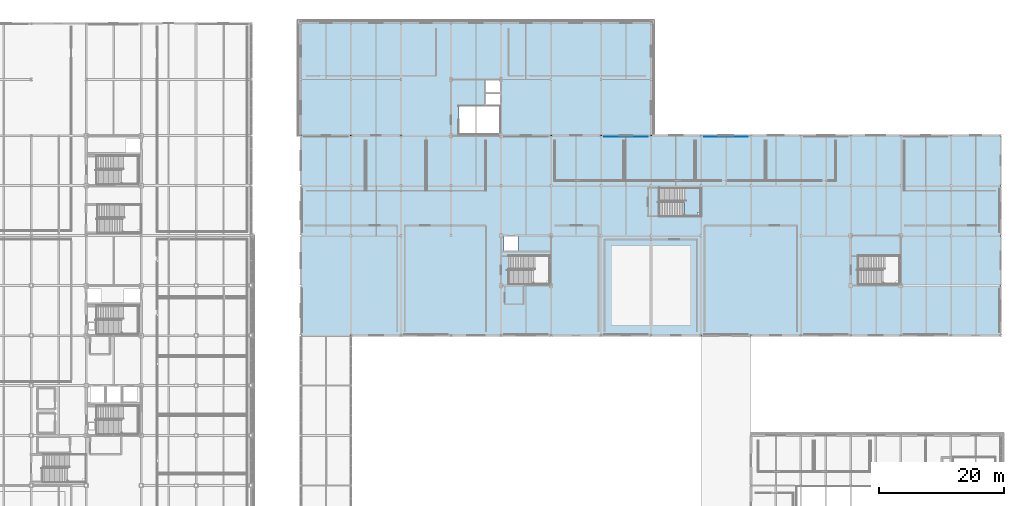
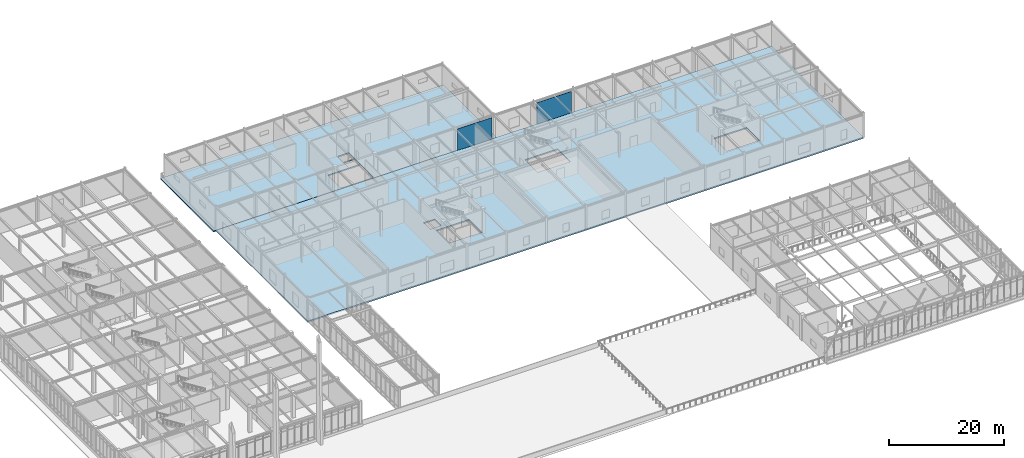
# One storey, part 67 of 108: 3 slabs, 2 plates, 1 element without a shape of its own.
"""IFC4 building model written with IfcOpenShell, lengths in metres."""

import ifcopenshell
import ifcopenshell.guid

model = None  # the IFC model being written
_history = None  # IfcOwnerHistory: only IFC2X3 demands one
_inside = {}  # id of a spatial element -> (the spatial element, [elements in it])
_under = {}  # id of a project, library or spatial element -> (it, [spatial elements below it])
_declared = {}  # id of a project -> (the project, [libraries it declares])
_typed = {}  # id of a type object -> (the type object, [elements of that type])
_made_of = {}  # id of a material, layer set ... -> (it, [elements and type objects made of it])


def new_model(schema):
    """Start an empty IFC model of exactly this schema.

    Asked for "IFC4X3", IfcOpenShell would pick the latest addendum, in which some entities
    have other attributes; the version numbers below select the first issue.
    IFC2X3 requires an IfcOwnerHistory on every rooted entity: one is made here for all.
    """
    global model, _history
    if schema == "IFC4X3":
        model = ifcopenshell.file(schema_version=(4, 3, 0, 0))
    else:
        model = ifcopenshell.file(schema=schema)
    _inside.clear()
    _under.clear()
    _declared.clear()
    _typed.clear()
    _made_of.clear()
    _history = None
    if model.schema == "IFC2X3":
        org = make("IfcOrganization", Name="unknown")
        user = make(
            "IfcPersonAndOrganization",
            ThePerson=make("IfcPerson", FamilyName="unknown"),
            TheOrganization=org,
        )
        app = make(
            "IfcApplication",
            ApplicationDeveloper=org,
            Version="unknown",
            ApplicationFullName="unknown",
            ApplicationIdentifier="unknown",
        )
        _history = make(
            "IfcOwnerHistory",
            OwningUser=user,
            OwningApplication=app,
            ChangeAction="ADDED",
            CreationDate=0,
        )
    return model


def make(cls, **values):
    """One entity of the class cls with the attributes given. An attribute that is None is left unset."""
    return model.create_entity(
        cls, **{name: value for name, value in values.items() if value is not None}
    )


def rooted(cls, **values):
    """An entity with a GlobalId (a new one), such as an element, a storey or a relation."""
    return make(cls, GlobalId=ifcopenshell.guid.new(), OwnerHistory=_history, **values)


def si_unit(unit_type, name, prefix=None):
    """IfcSIUnit, for example si_unit("LENGTHUNIT", "METRE", prefix="MILLI")."""
    return make("IfcSIUnit", UnitType=unit_type, Prefix=prefix, Name=name)


def assignment(units):
    """IfcUnitAssignment: the units of a project."""
    return None if units is None else make("IfcUnitAssignment", Units=units)


def point(xyz):
    """IfcCartesianPoint."""
    return None if xyz is None else make("IfcCartesianPoint", Coordinates=xyz)


def direction(xyz):
    """IfcDirection."""
    return None if xyz is None else make("IfcDirection", DirectionRatios=xyz)


def frame(location, z_axis=None, x_axis=None):
    """IfcAxis2Placement3D, a coordinate frame: its origin and axes. An axis left out is left unset."""
    return make(
        "IfcAxis2Placement3D",
        Location=point(location),
        Axis=direction(z_axis),
        RefDirection=direction(x_axis),
    )


def frame_2d(location, x_axis=None):
    """IfcAxis2Placement2D, a coordinate frame in the plane: its origin and x axis."""
    return make(
        "IfcAxis2Placement2D", Location=point(location), RefDirection=direction(x_axis)
    )


def origin():
    """The frame at (0, 0, 0) with its axes left unset."""
    return frame((0.0, 0.0, 0.0))


def origin_2d():
    """The frame at (0, 0) in the plane with its x axis left unset."""
    return frame_2d((0.0, 0.0))


def place(relative_to, where):
    """IfcLocalPlacement: puts the frame where relative to a parent placement (None: the world)."""
    return make(
        "IfcLocalPlacement", PlacementRelTo=relative_to, RelativePlacement=where
    )


def context(
    kind, dimensions, precision=None, world=None, true_north=None, identifier=None
):
    """IfcGeometricRepresentationContext, for example the 3D "Model" context."""
    return make(
        "IfcGeometricRepresentationContext",
        ContextIdentifier=identifier,
        ContextType=kind,
        CoordinateSpaceDimension=dimensions,
        Precision=precision,
        WorldCoordinateSystem=world,
        TrueNorth=true_north,
    )


def subcontext(parent, identifier, kind, view, scale=None):
    """IfcGeometricRepresentationSubContext, for example "Body" below "Model"."""
    return make(
        "IfcGeometricRepresentationSubContext",
        ContextIdentifier=identifier,
        ContextType=kind,
        ParentContext=parent,
        TargetScale=scale,
        TargetView=view,
    )


def project(units=None, contexts=None):
    """IfcProject with its units and contexts."""
    return rooted(
        "IfcProject",
        Name="project",
        RepresentationContexts=contexts,
        UnitsInContext=assignment(units),
    )


def spatial(cls, under=None, at=None, **own):
    """A site, building, storey or space (cls), placed at a placement, below another one or the project."""
    s = rooted(cls, ObjectPlacement=at, **own)
    if under is not None:
        _under.setdefault(under.id(), (under, []))[1].append(s)
    return s


def polyline(points):
    """IfcPolyline through the points."""
    return make("IfcPolyline", Points=[point(p) for p in points])


def profile(cls, at=None, kind="AREA", **sizes):
    """A parametric profile (cls). Its sizes go by their IFC names, for example OverallWidth=200.0."""
    return make(cls, ProfileType=kind, Position=at, **sizes)


def rectangle(**sizes):
    """IfcRectangleProfileDef."""
    return profile("IfcRectangleProfileDef", **sizes)


def outline(outer, holes=None, kind="AREA"):
    """IfcArbitraryClosedProfileDef: a profile drawn as a closed curve; with holes, ...WithVoids."""
    if holes is None:
        return make("IfcArbitraryClosedProfileDef", ProfileType=kind, OuterCurve=outer)
    return make(
        "IfcArbitraryProfileDefWithVoids",
        ProfileType=kind,
        OuterCurve=outer,
        InnerCurves=holes,
    )


def extrude(swept, where, along, depth):
    """IfcExtrudedAreaSolid: the profile swept, set in the frame where, extruded along a direction by depth."""
    return make(
        "IfcExtrudedAreaSolid",
        SweptArea=swept,
        Position=where,
        ExtrudedDirection=direction(along),
        Depth=depth,
    )


def shape(context_of_items, identifier, shape_type, items):
    """IfcShapeRepresentation: the items that make up one representation, for example the "Body"."""
    return make(
        "IfcShapeRepresentation",
        ContextOfItems=context_of_items,
        RepresentationIdentifier=identifier,
        RepresentationType=shape_type,
        Items=items,
    )


def material(Name=None, Category=None):
    """IfcMaterial."""
    return make("IfcMaterial", Name=Name, Category=Category)


def layer(
    of_material, thickness, ventilated=None, Name=None, Category=None, Priority=None
):
    """IfcMaterialLayer: one layer of a wall or slab, of a material (None: an air gap)."""
    return make(
        "IfcMaterialLayer",
        Material=of_material,
        LayerThickness=thickness,
        IsVentilated=ventilated,
        Name=Name,
        Category=Category,
        Priority=Priority,
    )


def layer_set(layers, Name=None):
    """IfcMaterialLayerSet."""
    return make("IfcMaterialLayerSet", MaterialLayers=layers, LayerSetName=Name)


def made_of(thing, what):
    """Note that an element or type object is made of a material, layer set ...; save() writes the relation."""
    if what is not None:
        _made_of.setdefault(what.id(), (what, []))[1].append(thing)
    return thing


def type_object(cls, material=None, **own):
    """A type object (cls), such as IfcWallType, which elements share."""
    return made_of(rooted(cls, **own), material)


def element(
    cls,
    number,
    at=None,
    inside=None,
    cuts=None,
    type_object=None,
    material=None,
    context=None,
    identifier="Body",
    shape_type=None,
    held_by="IfcProductDefinitionShape",
    body=None,
    shapes=None,
    **own,
):
    """One element of the class cls, such as IfcWall. Its Tag is "e" and its number.

    at: its placement. inside: the storey or other place that contains it. cuts: it is an
    opening in that element (IfcRelVoidsElement). A single representation is given by context,
    identifier, shape_type and body (its items); several are given by shapes. held_by: the class
    of the entity that holds the representations. save() writes the other relations.
    """
    e = rooted(cls, Tag="e%d" % number, ObjectPlacement=at, **own)
    if body is not None:
        shapes = [shape(context, identifier, shape_type, body)]
    if shapes is not None:
        e.Representation = make(held_by, Representations=shapes)
    if inside is not None:
        _inside.setdefault(inside.id(), (inside, []))[1].append(e)
    if cuts is not None:
        rooted(
            "IfcRelVoidsElement", RelatingBuildingElement=cuts, RelatedOpeningElement=e
        )
    if type_object is not None:
        _typed.setdefault(type_object.id(), (type_object, []))[1].append(e)
    return made_of(e, material)


def aggregate(whole, parts):
    """IfcRelAggregates: a whole, such as a stair, and the parts it consists of."""
    return rooted("IfcRelAggregates", RelatingObject=whole, RelatedObjects=parts)


def save(model, path):
    """Write the relations noted so far, then the file.

    IfcRelAggregates (storeys below a building ...), IfcRelContainedInSpatialStructure (elements
    in a storey), IfcRelDefinesByType, IfcRelAssociatesMaterial and IfcRelDeclares: one each for
    every whole, place, type object, material and project.
    """
    for whole, parts in _under.values():
        aggregate(whole, parts)
    for where, things in _inside.values():
        rooted(
            "IfcRelContainedInSpatialStructure",
            RelatedElements=things,
            RelatingStructure=where,
        )
    for kind, things in _typed.values():
        rooted("IfcRelDefinesByType", RelatedObjects=things, RelatingType=kind)
    for what, things in _made_of.values():
        rooted("IfcRelAssociatesMaterial", RelatedObjects=things, RelatingMaterial=what)
    for by, libraries in _declared.values():
        rooted("IfcRelDeclares", RelatingContext=by, RelatedDefinitions=libraries)
    model.write(path)


model = new_model("IFC4")

# Units and contexts
model_context = context("Model", 3, precision=1e-05, world=origin(), true_north=direction((0.0, 1.0)))
body_context = subcontext(model_context, "Body", "Model", "MODEL_VIEW")
ifc_project = project(units=[si_unit("LENGTHUNIT", "METRE"), si_unit("AREAUNIT", "SQUARE_METRE"), si_unit("VOLUMEUNIT", "CUBIC_METRE"), si_unit("PLANEANGLEUNIT", "RADIAN"), si_unit("MASSUNIT", "GRAM", prefix="KILO")], contexts=[model_context])

# Site, building, storey
site_placement = place(None, origin())
site = spatial("IfcSite", under=ifc_project, at=site_placement, CompositionType="ELEMENT")
building_placement = place(site_placement, origin())
building = spatial("IfcBuilding", under=site, at=building_placement, Name="Zhaolan Boulevard Law Courts", CompositionType="ELEMENT")
storey_placement = place(building_placement, frame((0.0, 0.0, 10.800048828125)))
storey = spatial("IfcBuildingStorey", under=building, at=storey_placement, Name="L02", CompositionType="ELEMENT", Elevation=10.800048828125)

# Slabs
ifc_material_1 = material(Name="Concrete C40", Category="concrete")
ifc_layer_1 = layer(ifc_material_1, 0.260009765625)
ifc_layer_set_1 = layer_set([ifc_layer_1])
slab_type_1 = type_object("IfcSlabType", Name="FLOOR SLAB 260", PredefinedType="FLOOR", material=ifc_layer_set_1)
slab_1_placement = place(storey_placement, frame((0.0, 0.0, -0.260009765625)))
element("IfcSlab", 1, at=slab_1_placement, inside=storey, type_object=slab_type_1, Name="Slab SLB-L02-V6", PredefinedType="FLOOR", context=body_context, shape_type="SweptSolid", body=[
    extrude(outline(polyline([(51.47998046875, 94.0), (108.52001953125, 94.0), (108.52001953125, 112.52001953125), (51.47998046875, 112.52001953125), (51.47998046875, 94.0)]), holes=[polyline([(81.574951171875, 98.875), (83.824951171875, 98.875), (83.824951171875, 100.824951171875), (81.574951171875, 100.824951171875), (81.574951171875, 98.875)]), polyline([(81.574951171875, 100.875), (83.824951171875, 100.875), (83.824951171875, 102.824951171875), (81.574951171875, 102.824951171875), (81.574951171875, 100.875)]), polyline([(77.25, 94.25), (83.85009765625, 94.25), (83.85009765625, 98.75), (77.25, 98.75), (77.25, 94.25)])]), origin(), (0.0, 0.0, 1.0), 0.260009765625),
])
ifc_material_2 = material(Name="Concrete C40", Category="concrete")
ifc_layer_2 = layer(ifc_material_2, 0.280029296875)
ifc_layer_set_2 = layer_set([ifc_layer_2])
slab_type_2 = type_object("IfcSlabType", Name="FLOOR SLAB 280", PredefinedType="FLOOR", material=ifc_layer_set_2)
slab_2_placement = place(storey_placement, frame((0.0, 0.0, -0.280029296875)))
element("IfcSlab", 2, at=slab_2_placement, inside=storey, type_object=slab_type_2, Name="Slab SLB-L02-V2", PredefinedType="FLOOR", context=body_context, shape_type="SweptSolid", body=[
    extrude(outline(polyline([(52.0, 62.0), (164.0, 62.0), (164.0, 94.0), (52.0, 94.0), (52.0, 62.0)]), holes=[polyline([(84.5, 75.574951171875), (86.699951171875, 75.574951171875), (86.699951171875, 77.824951171875), (84.5, 77.824951171875), (84.5, 75.574951171875)]), polyline([(85.25, 70.25), (91.85009765625, 70.25), (91.85009765625, 74.75), (85.25, 74.75), (85.25, 70.25)]), polyline([(141.25, 70.25), (147.85009765625, 70.25), (147.85009765625, 74.75), (141.25, 74.75), (141.25, 70.25)]), polyline([(109.39990234375, 81.14990234375), (116.0, 81.14990234375), (116.0, 85.60009765625), (109.39990234375, 85.60009765625), (109.39990234375, 81.14990234375)])]), origin(), (0.0, 0.0, 1.0), 0.280029296875),
])

# Stair, slab
ifc_material_3 = material(Name="Concrete C40", Category="concrete")
stair_type = type_object("IfcStairType", Name="HALF TURN STAIR 54 A", PredefinedType="HALF_TURN_STAIR", material=ifc_material_3)
stair_placement = place(storey_placement, origin())
stair = element("IfcStair", 3, at=stair_placement, inside=storey, type_object=stair_type, Name="Stair ST13-L02", PredefinedType="HALF_TURN_STAIR")
ifc_material_4 = material(Name="Concrete C40", Category="concrete")
ifc_layer_3 = layer(ifc_material_4, 0.199951171875)
ifc_layer_set_3 = layer_set([ifc_layer_3])
slab_type_3 = type_object("IfcSlabType", Name="STAIR LANDING 200", PredefinedType="LANDING", material=ifc_layer_set_3)
slab_3_placement = place(storey_placement, frame((0.0, 0.0, 2.5)))
slab_3 = element("IfcSlab", 4, at=slab_3_placement, type_object=slab_type_3, Name="Stair Landing ST13-L02-L1", PredefinedType="LANDING", context=body_context, shape_type="SweptSolid", body=[
    extrude(outline(polyline([(113.340087890625, 81.199951171875), (115.43994140625, 81.199951171875), (115.43994140625, 81.7099609375), (115.949951171875, 81.7099609375), (115.949951171875, 85.550048828125), (113.340087890625, 85.550048828125), (113.340087890625, 81.199951171875)])), origin(), (0.0, 0.0, 1.0), 0.199951171875),
])
aggregate(stair, [slab_3])

# Plates
ifc_material_5 = material(Name="Pale mist-grey standing-seam Al-Mg-Mn zinc-titanium")
ifc_layer_4 = layer(ifc_material_5, 0.050048828125)
ifc_layer_set_4 = layer_set([ifc_layer_4])
plate_type_1 = type_object("IfcPlateType", Name="STANDING SEAM PLATE 50", PredefinedType="SHEET", material=ifc_layer_set_4)
plate_1_placement = place(storey_placement, frame((104.0, 93.824951171875, 0.099365234375), z_axis=(0.0, 0.0, 1.0), x_axis=(-1.0, 0.0, 0.0)))
element("IfcPlate", 5, at=plate_1_placement, inside=storey, type_object=plate_type_1, Name="Standing-Seam Metal Wall Cladding SSP-L02-254", PredefinedType="SHEET", context=body_context, shape_type="SweptSolid", body=[
    extrude(rectangle(XDim=6.9599609375, YDim=0.050048828125, at=origin_2d()), origin(), (0.0, 0.0, 1.0), 4.56298828125),
])
ifc_material_6 = material(Name="Pale mist-grey standing-seam Al-Mg-Mn zinc-titanium")
ifc_layer_5 = layer(ifc_material_6, 0.06005859375)
ifc_layer_set_5 = layer_set([ifc_layer_5])
plate_type_2 = type_object("IfcPlateType", Name="STANDING SEAM PLATE 60", PredefinedType="SHEET", material=ifc_layer_set_5)
plate_2_placement = place(storey_placement, frame((120.0, 93.820068359375, 0.099365234375), z_axis=(0.0, 0.0, 1.0), x_axis=(-1.0, 0.0, 0.0)))
element("IfcPlate", 6, at=plate_2_placement, inside=storey, type_object=plate_type_2, Name="Standing-Seam Metal Wall Cladding SSP-L02-256", PredefinedType="SHEET", context=body_context, shape_type="SweptSolid", body=[
    extrude(rectangle(XDim=6.9599609375, YDim=0.06005859375, at=origin_2d()), origin(), (0.0, 0.0, 1.0), 4.56298828125),
])

save(model, "model.ifc")
